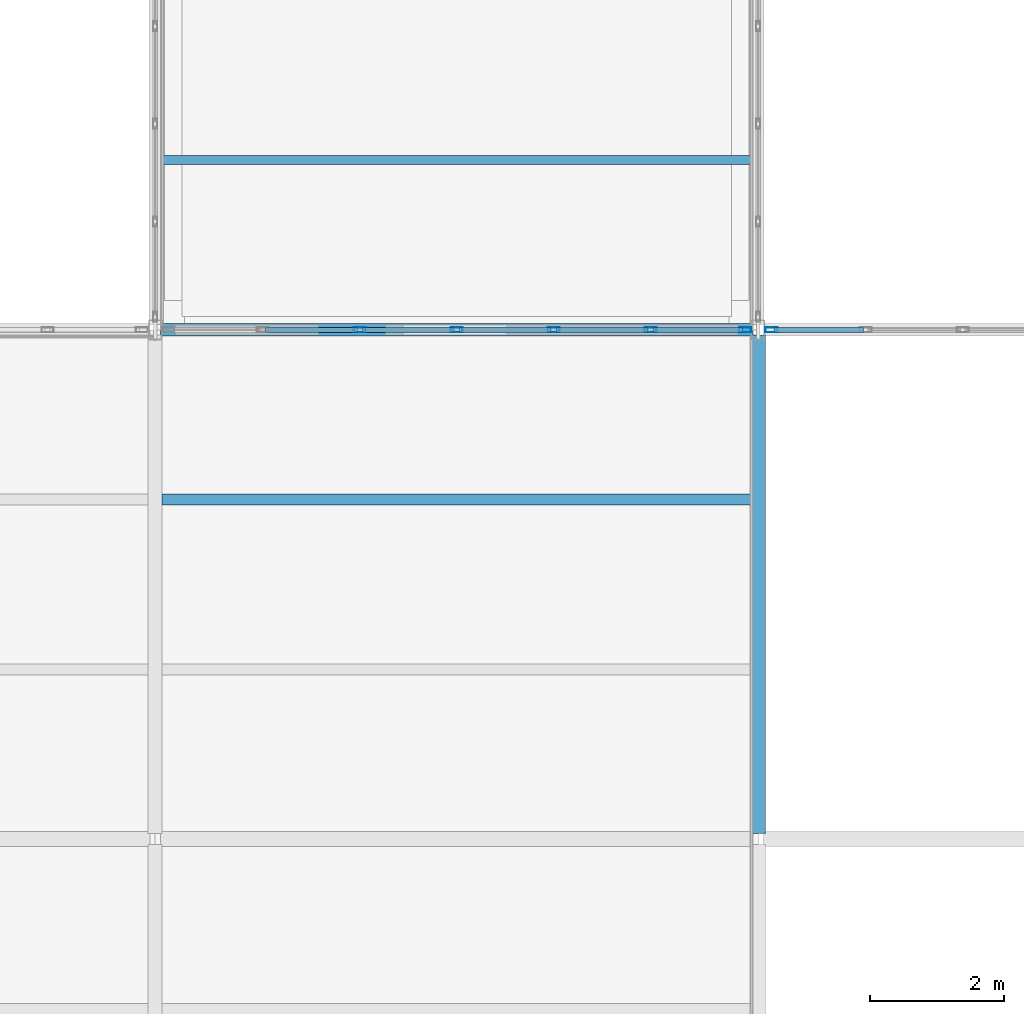
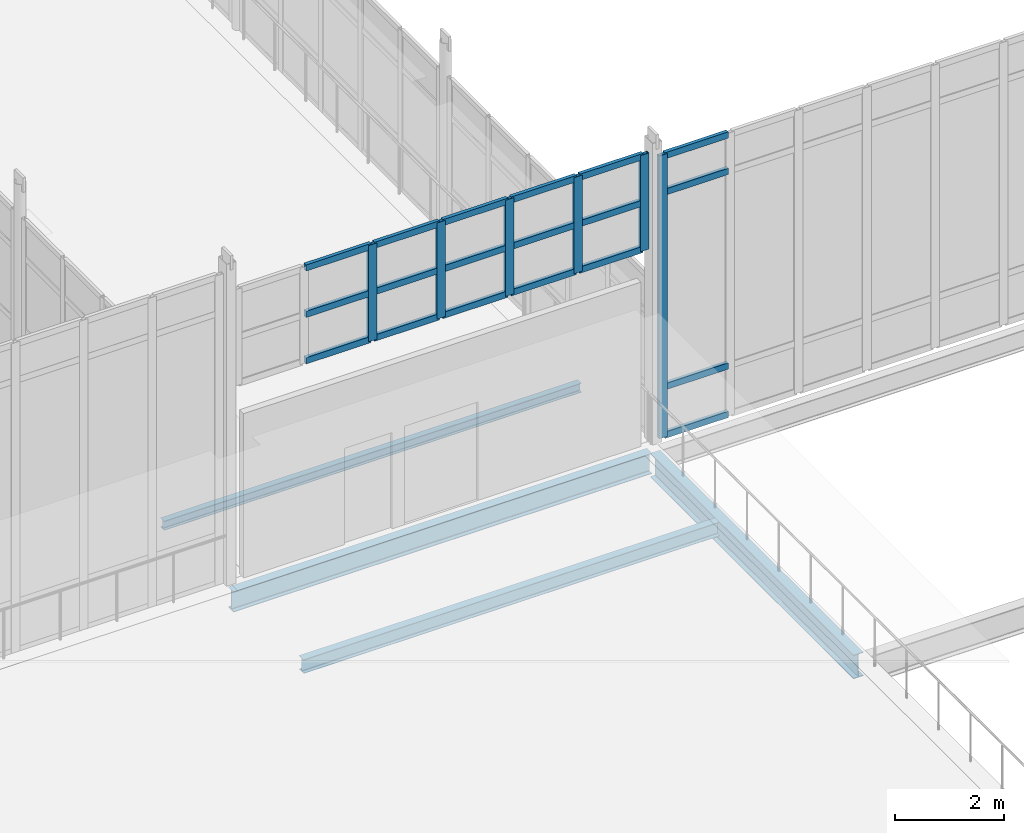
# One storey, part 55 of 166: 25 members, 4 beams, 2 elements without a shape of their own.
"""IFC4 building model written with IfcOpenShell, lengths in metres."""

import ifcopenshell
import ifcopenshell.guid

model = None  # the IFC model being written
_history = None  # IfcOwnerHistory: only IFC2X3 demands one
_inside = {}  # id of a spatial element -> (the spatial element, [elements in it])
_under = {}  # id of a project, library or spatial element -> (it, [spatial elements below it])
_declared = {}  # id of a project -> (the project, [libraries it declares])
_typed = {}  # id of a type object -> (the type object, [elements of that type])
_made_of = {}  # id of a material, layer set ... -> (it, [elements and type objects made of it])


def new_model(schema):
    """Start an empty IFC model of exactly this schema.

    Asked for "IFC4X3", IfcOpenShell would pick the latest addendum, in which some entities
    have other attributes; the version numbers below select the first issue.
    IFC2X3 requires an IfcOwnerHistory on every rooted entity: one is made here for all.
    """
    global model, _history
    if schema == "IFC4X3":
        model = ifcopenshell.file(schema_version=(4, 3, 0, 0))
    else:
        model = ifcopenshell.file(schema=schema)
    _inside.clear()
    _under.clear()
    _declared.clear()
    _typed.clear()
    _made_of.clear()
    _history = None
    if model.schema == "IFC2X3":
        org = make("IfcOrganization", Name="unknown")
        user = make(
            "IfcPersonAndOrganization",
            ThePerson=make("IfcPerson", FamilyName="unknown"),
            TheOrganization=org,
        )
        app = make(
            "IfcApplication",
            ApplicationDeveloper=org,
            Version="unknown",
            ApplicationFullName="unknown",
            ApplicationIdentifier="unknown",
        )
        _history = make(
            "IfcOwnerHistory",
            OwningUser=user,
            OwningApplication=app,
            ChangeAction="ADDED",
            CreationDate=0,
        )
    return model


def make(cls, **values):
    """One entity of the class cls with the attributes given. An attribute that is None is left unset."""
    return model.create_entity(
        cls, **{name: value for name, value in values.items() if value is not None}
    )


def rooted(cls, **values):
    """An entity with a GlobalId (a new one), such as an element, a storey or a relation."""
    return make(cls, GlobalId=ifcopenshell.guid.new(), OwnerHistory=_history, **values)


def si_unit(unit_type, name, prefix=None):
    """IfcSIUnit, for example si_unit("LENGTHUNIT", "METRE", prefix="MILLI")."""
    return make("IfcSIUnit", UnitType=unit_type, Prefix=prefix, Name=name)


def assignment(units):
    """IfcUnitAssignment: the units of a project."""
    return None if units is None else make("IfcUnitAssignment", Units=units)


def point(xyz):
    """IfcCartesianPoint."""
    return None if xyz is None else make("IfcCartesianPoint", Coordinates=xyz)


def direction(xyz):
    """IfcDirection."""
    return None if xyz is None else make("IfcDirection", DirectionRatios=xyz)


def frame(location, z_axis=None, x_axis=None):
    """IfcAxis2Placement3D, a coordinate frame: its origin and axes. An axis left out is left unset."""
    return make(
        "IfcAxis2Placement3D",
        Location=point(location),
        Axis=direction(z_axis),
        RefDirection=direction(x_axis),
    )


def frame_2d(location, x_axis=None):
    """IfcAxis2Placement2D, a coordinate frame in the plane: its origin and x axis."""
    return make(
        "IfcAxis2Placement2D", Location=point(location), RefDirection=direction(x_axis)
    )


def origin():
    """The frame at (0, 0, 0) with its axes left unset."""
    return frame((0.0, 0.0, 0.0))


def origin_2d():
    """The frame at (0, 0) in the plane with its x axis left unset."""
    return frame_2d((0.0, 0.0))


def place(relative_to, where):
    """IfcLocalPlacement: puts the frame where relative to a parent placement (None: the world)."""
    return make(
        "IfcLocalPlacement", PlacementRelTo=relative_to, RelativePlacement=where
    )


def context(
    kind, dimensions, precision=None, world=None, true_north=None, identifier=None
):
    """IfcGeometricRepresentationContext, for example the 3D "Model" context."""
    return make(
        "IfcGeometricRepresentationContext",
        ContextIdentifier=identifier,
        ContextType=kind,
        CoordinateSpaceDimension=dimensions,
        Precision=precision,
        WorldCoordinateSystem=world,
        TrueNorth=true_north,
    )


def subcontext(parent, identifier, kind, view, scale=None):
    """IfcGeometricRepresentationSubContext, for example "Body" below "Model"."""
    return make(
        "IfcGeometricRepresentationSubContext",
        ContextIdentifier=identifier,
        ContextType=kind,
        ParentContext=parent,
        TargetScale=scale,
        TargetView=view,
    )


def project(units=None, contexts=None):
    """IfcProject with its units and contexts."""
    return rooted(
        "IfcProject",
        Name="project",
        RepresentationContexts=contexts,
        UnitsInContext=assignment(units),
    )


def spatial(cls, under=None, at=None, **own):
    """A site, building, storey or space (cls), placed at a placement, below another one or the project."""
    s = rooted(cls, ObjectPlacement=at, **own)
    if under is not None:
        _under.setdefault(under.id(), (under, []))[1].append(s)
    return s


def profile(cls, at=None, kind="AREA", **sizes):
    """A parametric profile (cls). Its sizes go by their IFC names, for example OverallWidth=200.0."""
    return make(cls, ProfileType=kind, Position=at, **sizes)


def hollow_rectangle(**sizes):
    """IfcRectangleHollowProfileDef."""
    return profile("IfcRectangleHollowProfileDef", **sizes)


def i_section(**sizes):
    """IfcIShapeProfileDef."""
    return profile("IfcIShapeProfileDef", **sizes)


def extrude(swept, where, along, depth):
    """IfcExtrudedAreaSolid: the profile swept, set in the frame where, extruded along a direction by depth."""
    return make(
        "IfcExtrudedAreaSolid",
        SweptArea=swept,
        Position=where,
        ExtrudedDirection=direction(along),
        Depth=depth,
    )


def shape(context_of_items, identifier, shape_type, items):
    """IfcShapeRepresentation: the items that make up one representation, for example the "Body"."""
    return make(
        "IfcShapeRepresentation",
        ContextOfItems=context_of_items,
        RepresentationIdentifier=identifier,
        RepresentationType=shape_type,
        Items=items,
    )


def material(Name=None, Category=None):
    """IfcMaterial."""
    return make("IfcMaterial", Name=Name, Category=Category)


def material_profile(
    of_material, cross_section, Name=None, Category=None, Priority=None
):
    """IfcMaterialProfile: a cross section and its material."""
    return make(
        "IfcMaterialProfile",
        Name=Name,
        Material=of_material,
        Profile=cross_section,
        Priority=Priority,
        Category=Category,
    )


def profile_set(profiles, Name=None, composite=None):
    """IfcMaterialProfileSet."""
    return make(
        "IfcMaterialProfileSet",
        Name=Name,
        MaterialProfiles=profiles,
        CompositeProfile=composite,
    )


def made_of(thing, what):
    """Note that an element or type object is made of a material, layer set ...; save() writes the relation."""
    if what is not None:
        _made_of.setdefault(what.id(), (what, []))[1].append(thing)
    return thing


def type_object(cls, material=None, **own):
    """A type object (cls), such as IfcWallType, which elements share."""
    return made_of(rooted(cls, **own), material)


def element(
    cls,
    number,
    at=None,
    inside=None,
    cuts=None,
    type_object=None,
    material=None,
    context=None,
    identifier="Body",
    shape_type=None,
    held_by="IfcProductDefinitionShape",
    body=None,
    shapes=None,
    **own,
):
    """One element of the class cls, such as IfcWall. Its Tag is "e" and its number.

    at: its placement. inside: the storey or other place that contains it. cuts: it is an
    opening in that element (IfcRelVoidsElement). A single representation is given by context,
    identifier, shape_type and body (its items); several are given by shapes. held_by: the class
    of the entity that holds the representations. save() writes the other relations.
    """
    e = rooted(cls, Tag="e%d" % number, ObjectPlacement=at, **own)
    if body is not None:
        shapes = [shape(context, identifier, shape_type, body)]
    if shapes is not None:
        e.Representation = make(held_by, Representations=shapes)
    if inside is not None:
        _inside.setdefault(inside.id(), (inside, []))[1].append(e)
    if cuts is not None:
        rooted(
            "IfcRelVoidsElement", RelatingBuildingElement=cuts, RelatedOpeningElement=e
        )
    if type_object is not None:
        _typed.setdefault(type_object.id(), (type_object, []))[1].append(e)
    return made_of(e, material)


def aggregate(whole, parts):
    """IfcRelAggregates: a whole, such as a stair, and the parts it consists of."""
    return rooted("IfcRelAggregates", RelatingObject=whole, RelatedObjects=parts)


def save(model, path):
    """Write the relations noted so far, then the file.

    IfcRelAggregates (storeys below a building ...), IfcRelContainedInSpatialStructure (elements
    in a storey), IfcRelDefinesByType, IfcRelAssociatesMaterial and IfcRelDeclares: one each for
    every whole, place, type object, material and project.
    """
    for whole, parts in _under.values():
        aggregate(whole, parts)
    for where, things in _inside.values():
        rooted(
            "IfcRelContainedInSpatialStructure",
            RelatedElements=things,
            RelatingStructure=where,
        )
    for kind, things in _typed.values():
        rooted("IfcRelDefinesByType", RelatedObjects=things, RelatingType=kind)
    for what, things in _made_of.values():
        rooted("IfcRelAssociatesMaterial", RelatedObjects=things, RelatingMaterial=what)
    for by, libraries in _declared.values():
        rooted("IfcRelDeclares", RelatingContext=by, RelatedDefinitions=libraries)
    model.write(path)


model = new_model("IFC4")

# Units and contexts
model_context = context("Model", 3, precision=1e-05, world=origin(), true_north=direction((0.0, 1.0)))
body_context = subcontext(model_context, "Body", "Model", "MODEL_VIEW")
ifc_project = project(units=[si_unit("LENGTHUNIT", "METRE"), si_unit("AREAUNIT", "SQUARE_METRE"), si_unit("VOLUMEUNIT", "CUBIC_METRE"), si_unit("PLANEANGLEUNIT", "RADIAN"), si_unit("MASSUNIT", "GRAM", prefix="KILO")], contexts=[model_context])

# Site, building, storey
site_placement = place(None, origin())
site = spatial("IfcSite", under=ifc_project, at=site_placement, CompositionType="ELEMENT")
building_placement = place(site_placement, origin())
building = spatial("IfcBuilding", under=site, at=building_placement, Name="Caisbarro Railhouse Central Library", CompositionType="ELEMENT")
storey_placement = place(building_placement, frame((0.0, 0.0, 9.360107421875)))
storey = spatial("IfcBuildingStorey", under=building, at=storey_placement, Name="L02", CompositionType="ELEMENT", Elevation=9.360107421875)

# Beams
ifc_material_1 = material(Name="Steel ASTM A572 Grade 50", Category="steel")
ifc_material_profile_1 = material_profile(ifc_material_1, i_section(OverallWidth=0.208984375, OverallDepth=0.532958984375, WebThickness=0.01025390625, FlangeThickness=0.015625, FilletRadius=0.02001953125, at=origin_2d()), Name="W530X92.0")
ifc_profile_set_1 = profile_set([ifc_material_profile_1], Name="Steel ASTM A572 Grade 50")
beam_type_1 = type_object("IfcBeamType", Name="BM-G06", PredefinedType="BEAM", material=ifc_profile_set_1)
beam_1_placement = place(storey_placement, frame((63.0, 53.280029296875, -0.486572265625), z_axis=(0.0, 1.0, 0.0), x_axis=(-1.0, 0.0, 0.0)))
element("IfcBeam", 1, at=beam_1_placement, inside=storey, type_object=beam_type_1, Name="G06 beam L02 #1415", PredefinedType="BEAM", context=body_context, shape_type="SweptSolid", body=[
    extrude(i_section(OverallWidth=0.208984375, OverallDepth=0.532958984375, WebThickness=0.01025390625, FlangeThickness=0.015625, FilletRadius=0.02001953125, at=origin_2d()), origin(), (0.0, 0.0, 1.0), 7.43994140625),
])
ifc_material_profile_2 = material_profile(ifc_material_1, i_section(OverallWidth=0.1650390625, OverallDepth=0.31005859375, WebThickness=0.005859375, FlangeThickness=0.009765625, FilletRadius=0.011962890625, at=origin_2d()), Name="W310X38.7")
ifc_profile_set_2 = profile_set([ifc_material_profile_2], Name="Steel ASTM A572 Grade 50")
beam_type_2 = type_object("IfcBeamType", Name="BM-J03", PredefinedType="JOIST", material=ifc_profile_set_2)
beam_2_placement = place(storey_placement, frame((54.1044921875, 58.2666015625, -0.375), z_axis=(1.0, 0.0, 0.0), x_axis=(0.0, 1.0, 0.0)))
element("IfcBeam", 2, at=beam_2_placement, inside=storey, type_object=beam_type_2, Name="J03 beam L02 #1471", PredefinedType="JOIST", context=body_context, shape_type="SweptSolid", body=[
    extrude(i_section(OverallWidth=0.1650390625, OverallDepth=0.31005859375, WebThickness=0.005859375, FlangeThickness=0.009765625, FilletRadius=0.011962890625, at=origin_2d()), origin(), (0.0, 0.0, 1.0), 8.791015625),
])
ifc_material_profile_3 = material_profile(ifc_material_1, i_section(OverallWidth=0.133056640625, OverallDepth=0.20703125, WebThickness=0.005859375, FlangeThickness=0.00830078125, FilletRadius=0.010009765625, at=origin_2d()), Name="W200X26.6")
ifc_profile_set_3 = profile_set([ifc_material_profile_3], Name="Steel ASTM A572 Grade 50")
beam_type_3 = type_object("IfcBeamType", Name="BM-J07", PredefinedType="JOIST", material=ifc_profile_set_3)
beam_3_placement = place(storey_placement, frame((54.089111328125, 63.333251953125, -0.3037109375), z_axis=(1.0, 0.0, 0.0), x_axis=(0.0, 1.0, 0.0)))
element("IfcBeam", 3, at=beam_3_placement, inside=storey, type_object=beam_type_3, Name="J07 beam L02 #1726", PredefinedType="JOIST", context=body_context, shape_type="SweptSolid", body=[
    extrude(i_section(OverallWidth=0.133056640625, OverallDepth=0.20703125, WebThickness=0.005859375, FlangeThickness=0.00830078125, FilletRadius=0.010009765625, at=origin_2d()), origin(), (0.0, 0.0, 1.0), 8.82177734375),
])
ifc_material_profile_4 = material_profile(ifc_material_1, i_section(OverallWidth=0.18994140625, OverallDepth=0.45703125, WebThickness=0.009033203125, FlangeThickness=0.014404296875, FilletRadius=0.01806640625, at=origin_2d()), Name="W460X74.0")
ifc_profile_set_4 = profile_set([ifc_material_profile_4], Name="Steel ASTM A572 Grade 50")
beam_type_4 = type_object("IfcBeamType", Name="BM-SP01", PredefinedType="SPANDREL", material=ifc_profile_set_4)
beam_4_placement = place(storey_placement, frame((54.080078125, 60.800048828125, -0.448486328125), z_axis=(1.0, 0.0, 0.0), x_axis=(0.0, 1.0, 0.0)))
element("IfcBeam", 4, at=beam_4_placement, inside=storey, type_object=beam_type_4, Name="SP01 beam L02 #1386", PredefinedType="SPANDREL", context=body_context, shape_type="SweptSolid", body=[
    extrude(i_section(OverallWidth=0.18994140625, OverallDepth=0.45703125, WebThickness=0.009033203125, FlangeThickness=0.014404296875, FilletRadius=0.01806640625, at=origin_2d()), origin(), (0.0, 0.0, 1.0), 8.83984375),
])

# Curtain wall, members
ifc_material_2 = material(Name="Anodised architectural aluminium", Category="aluminium")
curtain_wall_type = type_object("IfcCurtainWallType", Name="CW-CW04", PredefinedType="NOTDEFINED", material=ifc_material_2)
curtain_wall_1_placement = place(storey_placement, origin())
curtain_wall_1 = element("IfcCurtainWall", 5, at=curtain_wall_1_placement, inside=storey, type_object=curtain_wall_type, Name="CW04 curtain wall L02 #18", PredefinedType="NOTDEFINED")
ifc_material_profile_5 = material_profile(ifc_material_2, hollow_rectangle(XDim=0.074951171875, YDim=0.179931640625, WallThickness=0.00439453125, at=origin_2d()), Name="ALU-MUL-75X180")
ifc_profile_set_5 = profile_set([ifc_material_profile_5], Name="Anodised architectural aluminium")
member_type_1 = type_object("IfcMemberType", Name="CWM-M01", PredefinedType="MULLION", material=ifc_profile_set_5)
member_1_placement = place(storey_placement, frame((57.05322265625, 60.800048828125, 4.31982421875), z_axis=(0.0, 0.0, 1.0), x_axis=(0.0, 1.0, 0.0)))
member_1 = element("IfcMember", 6, at=member_1_placement, type_object=member_type_1, Name="CW04 mullion 3", PredefinedType="MULLION", context=body_context, shape_type="SweptSolid", body=[
    extrude(hollow_rectangle(XDim=0.074951171875, YDim=0.179931640625, WallThickness=0.00439453125, at=origin_2d()), origin(), (0.0, 0.0, 1.0), 2.150146484375),
])
member_2_placement = place(storey_placement, frame((58.5, 60.800048828125, 4.31982421875), z_axis=(0.0, 0.0, 1.0), x_axis=(0.0, 1.0, 0.0)))
member_2 = element("IfcMember", 7, at=member_2_placement, type_object=member_type_1, Name="CW04 mullion 4", PredefinedType="MULLION", context=body_context, shape_type="SweptSolid", body=[
    extrude(hollow_rectangle(XDim=0.074951171875, YDim=0.179931640625, WallThickness=0.00439453125, at=origin_2d()), origin(), (0.0, 0.0, 1.0), 2.150146484375),
])
member_3_placement = place(storey_placement, frame((59.94677734375, 60.800048828125, 4.31982421875), z_axis=(0.0, 0.0, 1.0), x_axis=(0.0, 1.0, 0.0)))
member_3 = element("IfcMember", 8, at=member_3_placement, type_object=member_type_1, Name="CW04 mullion 5", PredefinedType="MULLION", context=body_context, shape_type="SweptSolid", body=[
    extrude(hollow_rectangle(XDim=0.074951171875, YDim=0.179931640625, WallThickness=0.00439453125, at=origin_2d()), origin(), (0.0, 0.0, 1.0), 2.150146484375),
])
member_4_placement = place(storey_placement, frame((61.393310546875, 60.800048828125, 4.31982421875), z_axis=(0.0, 0.0, 1.0), x_axis=(0.0, 1.0, 0.0)))
member_4 = element("IfcMember", 9, at=member_4_placement, type_object=member_type_1, Name="CW04 mullion 6", PredefinedType="MULLION", context=body_context, shape_type="SweptSolid", body=[
    extrude(hollow_rectangle(XDim=0.074951171875, YDim=0.179931640625, WallThickness=0.00439453125, at=origin_2d()), origin(), (0.0, 0.0, 1.0), 2.150146484375),
])
member_5_placement = place(storey_placement, frame((62.802490234375, 60.800048828125, 4.31982421875), z_axis=(0.0, 0.0, 1.0), x_axis=(0.0, 1.0, 0.0)))
member_5 = element("IfcMember", 10, at=member_5_placement, type_object=member_type_1, Name="CW04 mullion 7", PredefinedType="MULLION", context=body_context, shape_type="SweptSolid", body=[
    extrude(hollow_rectangle(XDim=0.074951171875, YDim=0.179931640625, WallThickness=0.00439453125, at=origin_2d()), origin(), (0.0, 0.0, 1.0), 2.150146484375),
])

# Curtain wall, member
curtain_wall_2_placement = place(storey_placement, origin())
curtain_wall_2 = element("IfcCurtainWall", 11, at=curtain_wall_2_placement, inside=storey, type_object=curtain_wall_type, Name="CW04 curtain wall L02 #20", PredefinedType="NOTDEFINED")
member_6_placement = place(storey_placement, frame((63.197509765625, 60.800048828125, 0.0), z_axis=(0.0, 0.0, 1.0), x_axis=(0.0, 1.0, 0.0)))
member_6 = element("IfcMember", 12, at=member_6_placement, type_object=member_type_1, Name="CW04 mullion 1", PredefinedType="MULLION", context=body_context, shape_type="SweptSolid", body=[
    extrude(hollow_rectangle(XDim=0.074951171875, YDim=0.179931640625, WallThickness=0.00439453125, at=origin_2d()), origin(), (0.0, 0.0, 1.0), 6.31982421875),
])

# Member
ifc_material_profile_6 = material_profile(ifc_material_2, hollow_rectangle(XDim=0.074951171875, YDim=0.139892578125, WallThickness=0.00390625, at=origin_2d()), Name="ALU-TRN-75X140")
ifc_profile_set_6 = profile_set([ifc_material_profile_6], Name="Anodised architectural aluminium")
member_type_2 = type_object("IfcMemberType", Name="CWT-T01", PredefinedType="USERDEFINED", material=ifc_profile_set_6)
member_7_placement = place(storey_placement, frame((55.644287109375, 60.800048828125, 4.357421875), z_axis=(1.0, 0.0, 0.0), x_axis=(0.0, 1.0, 0.0)))
member_7 = element("IfcMember", 13, at=member_7_placement, type_object=member_type_2, Name="CW04 transom 2.1", ObjectType="TRANSOM", PredefinedType="USERDEFINED", context=body_context, shape_type="SweptSolid", body=[
    extrude(hollow_rectangle(XDim=0.074951171875, YDim=0.139892578125, WallThickness=0.00390625, at=origin_2d()), origin(), (0.0, 0.0, 1.0), 1.37158203125),
])

member_8_placement = place(storey_placement, frame((55.644287109375, 60.800048828125, 5.394775390625), z_axis=(1.0, 0.0, 0.0), x_axis=(0.0, 1.0, 0.0)))
member_8 = element("IfcMember", 14, at=member_8_placement, type_object=member_type_2, Name="CW04 transom 2.2", ObjectType="TRANSOM", PredefinedType="USERDEFINED", context=body_context, shape_type="SweptSolid", body=[
    extrude(hollow_rectangle(XDim=0.074951171875, YDim=0.139892578125, WallThickness=0.00390625, at=origin_2d()), origin(), (0.0, 0.0, 1.0), 1.37158203125),
])

member_9_placement = place(storey_placement, frame((55.644287109375, 60.800048828125, 6.432373046875), z_axis=(1.0, 0.0, 0.0), x_axis=(0.0, 1.0, 0.0)))
member_9 = element("IfcMember", 15, at=member_9_placement, type_object=member_type_2, Name="CW04 transom 2.3", ObjectType="TRANSOM", PredefinedType="USERDEFINED", context=body_context, shape_type="SweptSolid", body=[
    extrude(hollow_rectangle(XDim=0.074951171875, YDim=0.139892578125, WallThickness=0.00390625, at=origin_2d()), origin(), (0.0, 0.0, 1.0), 1.37158203125),
])

member_10_placement = place(storey_placement, frame((57.0908203125, 60.800048828125, 4.357421875), z_axis=(1.0, 0.0, 0.0), x_axis=(0.0, 1.0, 0.0)))
member_10 = element("IfcMember", 16, at=member_10_placement, type_object=member_type_2, Name="CW04 transom 3.1", ObjectType="TRANSOM", PredefinedType="USERDEFINED", context=body_context, shape_type="SweptSolid", body=[
    extrude(hollow_rectangle(XDim=0.074951171875, YDim=0.139892578125, WallThickness=0.00390625, at=origin_2d()), origin(), (0.0, 0.0, 1.0), 1.37158203125),
])

member_11_placement = place(storey_placement, frame((57.0908203125, 60.800048828125, 5.394775390625), z_axis=(1.0, 0.0, 0.0), x_axis=(0.0, 1.0, 0.0)))
member_11 = element("IfcMember", 17, at=member_11_placement, type_object=member_type_2, Name="CW04 transom 3.2", ObjectType="TRANSOM", PredefinedType="USERDEFINED", context=body_context, shape_type="SweptSolid", body=[
    extrude(hollow_rectangle(XDim=0.074951171875, YDim=0.139892578125, WallThickness=0.00390625, at=origin_2d()), origin(), (0.0, 0.0, 1.0), 1.37158203125),
])

member_12_placement = place(storey_placement, frame((57.0908203125, 60.800048828125, 6.432373046875), z_axis=(1.0, 0.0, 0.0), x_axis=(0.0, 1.0, 0.0)))
member_12 = element("IfcMember", 18, at=member_12_placement, type_object=member_type_2, Name="CW04 transom 3.3", ObjectType="TRANSOM", PredefinedType="USERDEFINED", context=body_context, shape_type="SweptSolid", body=[
    extrude(hollow_rectangle(XDim=0.074951171875, YDim=0.139892578125, WallThickness=0.00390625, at=origin_2d()), origin(), (0.0, 0.0, 1.0), 1.37158203125),
])

member_13_placement = place(storey_placement, frame((58.53759765625, 60.800048828125, 4.357421875), z_axis=(1.0, 0.0, 0.0), x_axis=(0.0, 1.0, 0.0)))
member_13 = element("IfcMember", 19, at=member_13_placement, type_object=member_type_2, Name="CW04 transom 4.1", ObjectType="TRANSOM", PredefinedType="USERDEFINED", context=body_context, shape_type="SweptSolid", body=[
    extrude(hollow_rectangle(XDim=0.074951171875, YDim=0.139892578125, WallThickness=0.00390625, at=origin_2d()), origin(), (0.0, 0.0, 1.0), 1.37158203125),
])

member_14_placement = place(storey_placement, frame((58.53759765625, 60.800048828125, 5.394775390625), z_axis=(1.0, 0.0, 0.0), x_axis=(0.0, 1.0, 0.0)))
member_14 = element("IfcMember", 20, at=member_14_placement, type_object=member_type_2, Name="CW04 transom 4.2", ObjectType="TRANSOM", PredefinedType="USERDEFINED", context=body_context, shape_type="SweptSolid", body=[
    extrude(hollow_rectangle(XDim=0.074951171875, YDim=0.139892578125, WallThickness=0.00390625, at=origin_2d()), origin(), (0.0, 0.0, 1.0), 1.37158203125),
])

member_15_placement = place(storey_placement, frame((58.53759765625, 60.800048828125, 6.432373046875), z_axis=(1.0, 0.0, 0.0), x_axis=(0.0, 1.0, 0.0)))
member_15 = element("IfcMember", 21, at=member_15_placement, type_object=member_type_2, Name="CW04 transom 4.3", ObjectType="TRANSOM", PredefinedType="USERDEFINED", context=body_context, shape_type="SweptSolid", body=[
    extrude(hollow_rectangle(XDim=0.074951171875, YDim=0.139892578125, WallThickness=0.00390625, at=origin_2d()), origin(), (0.0, 0.0, 1.0), 1.37158203125),
])

member_16_placement = place(storey_placement, frame((59.984130859375, 60.800048828125, 4.357421875), z_axis=(1.0, 0.0, 0.0), x_axis=(0.0, 1.0, 0.0)))
member_16 = element("IfcMember", 22, at=member_16_placement, type_object=member_type_2, Name="CW04 transom 5.1", ObjectType="TRANSOM", PredefinedType="USERDEFINED", context=body_context, shape_type="SweptSolid", body=[
    extrude(hollow_rectangle(XDim=0.074951171875, YDim=0.139892578125, WallThickness=0.00390625, at=origin_2d()), origin(), (0.0, 0.0, 1.0), 1.37158203125),
])

member_17_placement = place(storey_placement, frame((59.984130859375, 60.800048828125, 5.394775390625), z_axis=(1.0, 0.0, 0.0), x_axis=(0.0, 1.0, 0.0)))
member_17 = element("IfcMember", 23, at=member_17_placement, type_object=member_type_2, Name="CW04 transom 5.2", ObjectType="TRANSOM", PredefinedType="USERDEFINED", context=body_context, shape_type="SweptSolid", body=[
    extrude(hollow_rectangle(XDim=0.074951171875, YDim=0.139892578125, WallThickness=0.00390625, at=origin_2d()), origin(), (0.0, 0.0, 1.0), 1.37158203125),
])

member_18_placement = place(storey_placement, frame((59.984130859375, 60.800048828125, 6.432373046875), z_axis=(1.0, 0.0, 0.0), x_axis=(0.0, 1.0, 0.0)))
member_18 = element("IfcMember", 24, at=member_18_placement, type_object=member_type_2, Name="CW04 transom 5.3", ObjectType="TRANSOM", PredefinedType="USERDEFINED", context=body_context, shape_type="SweptSolid", body=[
    extrude(hollow_rectangle(XDim=0.074951171875, YDim=0.139892578125, WallThickness=0.00390625, at=origin_2d()), origin(), (0.0, 0.0, 1.0), 1.37158203125),
])

member_19_placement = place(storey_placement, frame((61.430908203125, 60.800048828125, 4.357421875), z_axis=(1.0, 0.0, 0.0), x_axis=(0.0, 1.0, 0.0)))
member_19 = element("IfcMember", 25, at=member_19_placement, type_object=member_type_2, Name="CW04 transom 6.1", ObjectType="TRANSOM", PredefinedType="USERDEFINED", context=body_context, shape_type="SweptSolid", body=[
    extrude(hollow_rectangle(XDim=0.074951171875, YDim=0.139892578125, WallThickness=0.00390625, at=origin_2d()), origin(), (0.0, 0.0, 1.0), 1.333984375),
])

member_20_placement = place(storey_placement, frame((61.430908203125, 60.800048828125, 5.394775390625), z_axis=(1.0, 0.0, 0.0), x_axis=(0.0, 1.0, 0.0)))
member_20 = element("IfcMember", 26, at=member_20_placement, type_object=member_type_2, Name="CW04 transom 6.2", ObjectType="TRANSOM", PredefinedType="USERDEFINED", context=body_context, shape_type="SweptSolid", body=[
    extrude(hollow_rectangle(XDim=0.074951171875, YDim=0.139892578125, WallThickness=0.00390625, at=origin_2d()), origin(), (0.0, 0.0, 1.0), 1.333984375),
])

member_21_placement = place(storey_placement, frame((61.430908203125, 60.800048828125, 6.432373046875), z_axis=(1.0, 0.0, 0.0), x_axis=(0.0, 1.0, 0.0)))
member_21 = element("IfcMember", 27, at=member_21_placement, type_object=member_type_2, Name="CW04 transom 6.3", ObjectType="TRANSOM", PredefinedType="USERDEFINED", context=body_context, shape_type="SweptSolid", body=[
    extrude(hollow_rectangle(XDim=0.074951171875, YDim=0.139892578125, WallThickness=0.00390625, at=origin_2d()), origin(), (0.0, 0.0, 1.0), 1.333984375),
])

aggregate(curtain_wall_1, [member_1, member_2, member_3, member_4, member_5, member_7, member_8, member_9, member_10, member_11, member_12, member_13, member_14, member_15, member_16, member_17, member_18, member_19, member_20, member_21])

member_22_placement = place(storey_placement, frame((63.235107421875, 60.800048828125, 0.037353515625), z_axis=(1.0, 0.0, 0.0), x_axis=(0.0, 1.0, 0.0)))
member_22 = element("IfcMember", 28, at=member_22_placement, type_object=member_type_2, Name="CW04 transom 1.1", ObjectType="TRANSOM", PredefinedType="USERDEFINED", context=body_context, shape_type="SweptSolid", body=[
    extrude(hollow_rectangle(XDim=0.074951171875, YDim=0.139892578125, WallThickness=0.00390625, at=origin_2d()), origin(), (0.0, 0.0, 1.0), 1.333984375),
])

member_23_placement = place(storey_placement, frame((63.235107421875, 60.800048828125, 1.119873046875), z_axis=(1.0, 0.0, 0.0), x_axis=(0.0, 1.0, 0.0)))
member_23 = element("IfcMember", 29, at=member_23_placement, type_object=member_type_2, Name="CW04 transom 1.2", ObjectType="TRANSOM", PredefinedType="USERDEFINED", context=body_context, shape_type="SweptSolid", body=[
    extrude(hollow_rectangle(XDim=0.074951171875, YDim=0.139892578125, WallThickness=0.00390625, at=origin_2d()), origin(), (0.0, 0.0, 1.0), 1.333984375),
])

member_24_placement = place(storey_placement, frame((63.235107421875, 60.800048828125, 5.469970703125), z_axis=(1.0, 0.0, 0.0), x_axis=(0.0, 1.0, 0.0)))
member_24 = element("IfcMember", 30, at=member_24_placement, type_object=member_type_2, Name="CW04 transom 1.3", ObjectType="TRANSOM", PredefinedType="USERDEFINED", context=body_context, shape_type="SweptSolid", body=[
    extrude(hollow_rectangle(XDim=0.074951171875, YDim=0.139892578125, WallThickness=0.00390625, at=origin_2d()), origin(), (0.0, 0.0, 1.0), 1.333984375),
])

member_25_placement = place(storey_placement, frame((63.235107421875, 60.800048828125, 6.282470703125), z_axis=(1.0, 0.0, 0.0), x_axis=(0.0, 1.0, 0.0)))
member_25 = element("IfcMember", 31, at=member_25_placement, type_object=member_type_2, Name="CW04 transom 1.4", ObjectType="TRANSOM", PredefinedType="USERDEFINED", context=body_context, shape_type="SweptSolid", body=[
    extrude(hollow_rectangle(XDim=0.074951171875, YDim=0.139892578125, WallThickness=0.00390625, at=origin_2d()), origin(), (0.0, 0.0, 1.0), 1.333984375),
])

aggregate(curtain_wall_2, [member_6, member_22, member_23, member_24, member_25])

save(model, "model.ifc")
